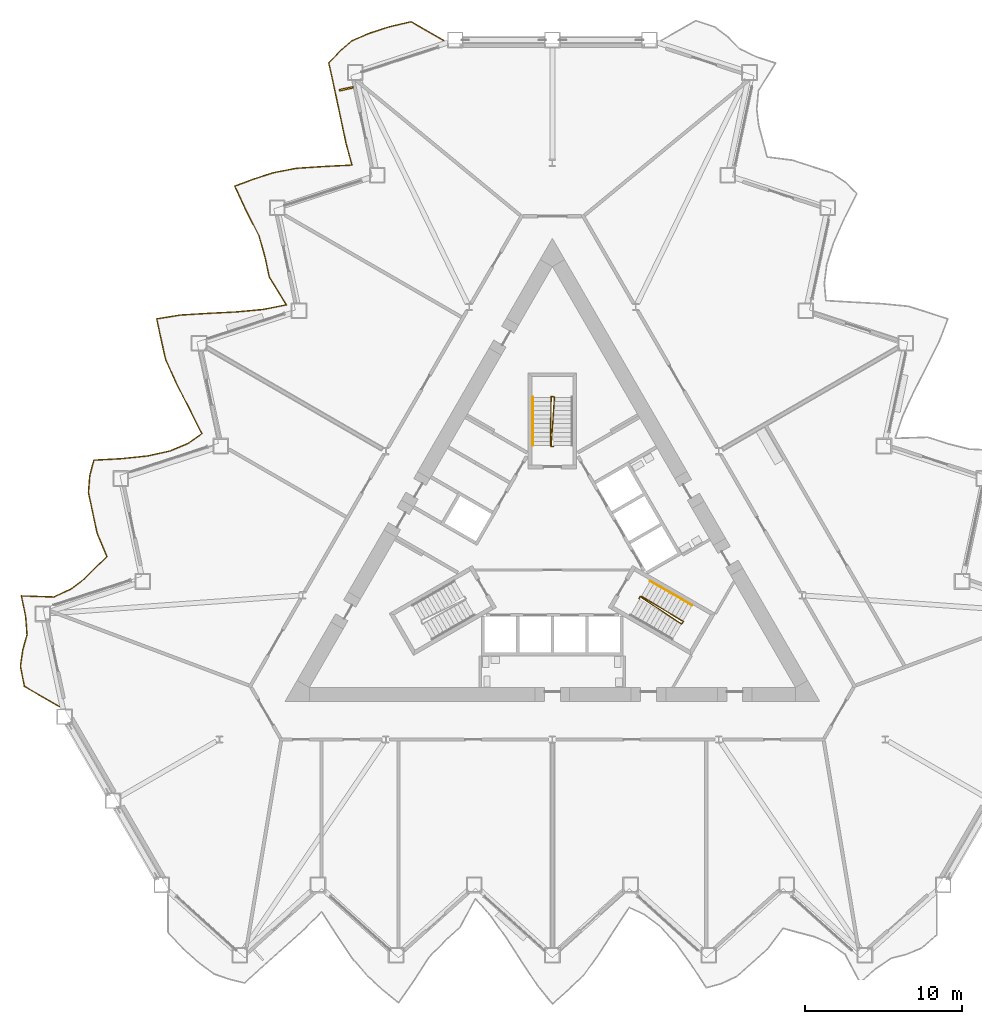
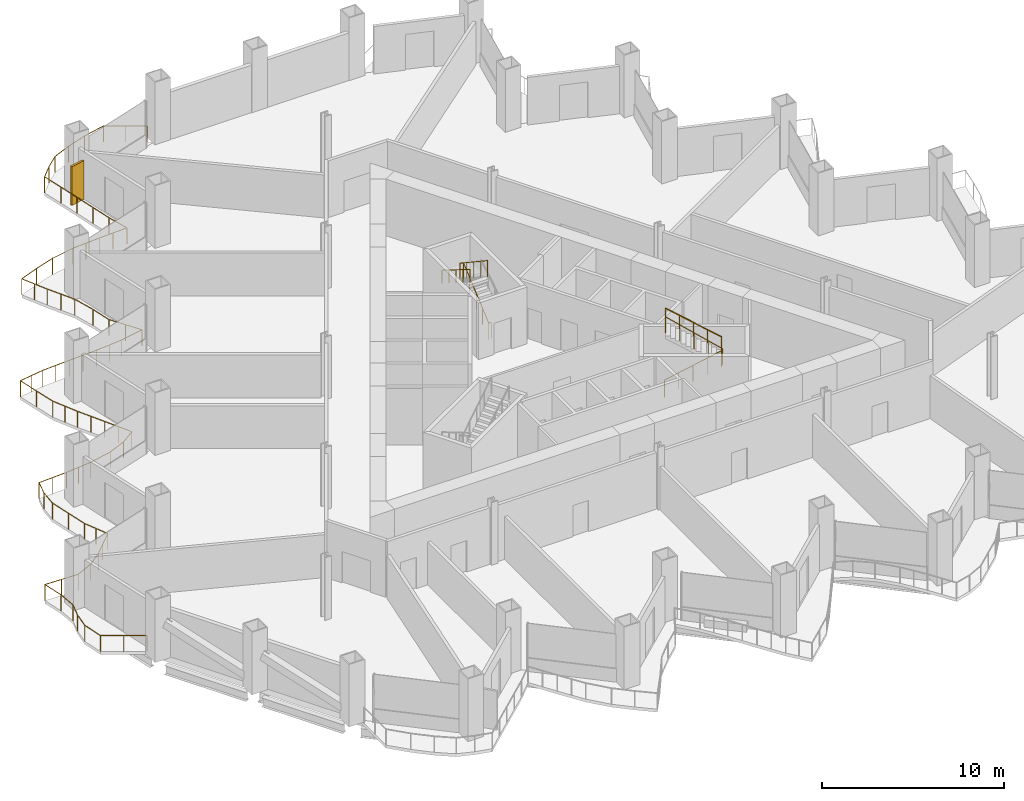
# One storey, part 17 of 20: 5 railings, 1 shading device.
"""IFC4 building model written with IfcOpenShell, lengths in metres."""

from ifc_helpers import new_model, si_unit, direction, frame, origin, origin_2d, place, context, subcontext, project, spatial, rectangle, circle, extrude, material, layer, layer_set, type_object, element, save


model = new_model("IFC4")

# Units and contexts
model_context = context("Model", 3, precision=1e-05, world=origin(), true_north=direction((0.0, 1.0)))
body_context = subcontext(model_context, "Body", "Model", "MODEL_VIEW")
ifc_project = project(units=[si_unit("LENGTHUNIT", "METRE"), si_unit("AREAUNIT", "SQUARE_METRE"), si_unit("VOLUMEUNIT", "CUBIC_METRE"), si_unit("PLANEANGLEUNIT", "RADIAN"), si_unit("MASSUNIT", "GRAM", prefix="KILO")], contexts=[model_context])

# Site, building, storey
site_placement = place(None, origin())
site = spatial("IfcSite", under=ifc_project, at=site_placement, CompositionType="ELEMENT")
building_placement = place(site_placement, origin())
building = spatial("IfcBuilding", under=site, at=building_placement, Name="Cormorant Prow Tower", CompositionType="ELEMENT")
storey_placement = place(building_placement, frame((0.0, 0.0, 59.39990234375)))
storey = spatial("IfcBuildingStorey", under=building, at=storey_placement, Name="L12", CompositionType="ELEMENT", Elevation=59.39990234375)

# Railings
ifc_material_1 = material(Name="Aluminium 6063-T6", Category="aluminium")
railing_type_1 = type_object("IfcRailingType", Name="Balcony guard 1100", PredefinedType="GUARDRAIL", material=ifc_material_1)
railing_1_placement = place(storey_placement, frame((-6.89013671875, 32.197509765625, 0.0)))
element("IfcRailing", 1, at=railing_1_placement, inside=storey, type_object=railing_type_1, Name="Balcony guard WNW", PredefinedType="GUARDRAIL", context=body_context, shape_type="SweptSolid", body=[
    extrude(circle(Radius=0.02392578125, at=origin_2d()), frame((0.0, 0.0, 1.076171875), z_axis=(-0.86600970956, 0.500027182209, 0.0), x_axis=(-0.500027182209, -0.86600970956, 0.0)), (0.0, 0.0, 1.0), 2.404052734375),
    extrude(circle(Radius=0.02392578125, at=origin_2d()), frame((-2.08203125, 1.2021484375, 1.076171875), z_axis=(-0.974143458387, -0.225930348742, 0.0), x_axis=(0.225930348742, -0.974143458387, 0.0)), (0.0, 0.0, 1.0), 1.431884765625),
    extrude(circle(Radius=0.02392578125, at=origin_2d()), frame((-3.476806640625, 0.878662109375, 1.076171875), z_axis=(-0.951050435231, -0.30903570934, 0.0), x_axis=(0.30903570934, -0.951050435231, 0.0)), (0.0, 0.0, 1.0), 1.3154296875),
    extrude(circle(Radius=0.02392578125, at=origin_2d()), frame((-4.727783203125, 0.47216796875, 1.076171875), z_axis=(-0.919423874119, -0.39326802527, 0.0), x_axis=(0.39326802527, -0.919423874119, 0.0)), (0.0, 0.0, 1.0), 1.2216796875),
    extrude(circle(Radius=0.02392578125, at=origin_2d()), frame((-5.85107421875, -0.00830078125, 1.076171875), z_axis=(-0.753994763971, -0.656880427402, 0.0), x_axis=(0.656880427402, -0.753994763971, 0.0)), (0.0, 0.0, 1.0), 1.033203125),
    extrude(circle(Radius=0.02392578125, at=origin_2d()), frame((-6.630126953125, -0.68701171875, 1.076171875), z_axis=(-0.69327825014, -0.72067001317, 0.0), x_axis=(0.72067001317, -0.69327825014, 0.0)), (0.0, 0.0, 1.0), 1.007080078125),
    extrude(circle(Radius=0.02392578125, at=origin_2d()), frame((-7.328369140625, -1.412841796875, 1.076171875), z_axis=(0.218370454667, -0.975865945983, 0.0), x_axis=(0.975865945983, 0.218370454667, 0.0)), (0.0, 0.0, 1.0), 1.328125),
    extrude(circle(Radius=0.02392578125, at=origin_2d()), frame((-7.038330078125, -2.708984375, 1.076171875), z_axis=(0.207880954361, -0.978154133465, 0.0), x_axis=(0.978154133465, 0.207880954361, 0.0)), (0.0, 0.0, 1.0), 1.3154296875),
    extrude(circle(Radius=0.02392578125, at=origin_2d()), frame((-6.764892578125, -3.99560546875, 1.076171875), z_axis=(0.207843219599, -0.978162152236, 0.0), x_axis=(0.978162152236, 0.207843219599, 0.0)), (0.0, 0.0, 1.0), 1.315673828125),
    extrude(circle(Radius=0.02392578125, at=origin_2d()), frame((-6.491455078125, -5.282470703125, 1.076171875), z_axis=(0.20805853112, -0.978116377344, 0.0), x_axis=(0.978116377344, 0.20805853112, 0.0)), (0.0, 0.0, 1.0), 1.3154296875),
    extrude(circle(Radius=0.02392578125, at=origin_2d()), frame((-6.2177734375, -6.569091796875, 1.076171875), z_axis=(0.263726899896, -0.964597388692, 0.0), x_axis=(0.964597388692, 0.263726899896, 0.0)), (0.0, 0.0, 1.0), 1.389404296875),
    extrude(circle(Radius=0.02392578125, at=origin_2d()), frame((-5.851318359375, -7.909423828125, 1.076171875), z_axis=(-0.998806724345, -0.04883776615, 0.0), x_axis=(0.04883776615, -0.998806724345, 0.0)), (0.0, 0.0, 1.0), 1.8046875),
    extrude(circle(Radius=0.02392578125, at=origin_2d()), frame((-7.65380859375, -7.99755859375, 1.076171875), z_axis=(-0.997730027653, -0.067340863671, 0.0), x_axis=(0.067340863671, -0.997730027653, 0.0)), (0.0, 0.0, 1.0), 1.754638671875),
    extrude(circle(Radius=0.02392578125, at=origin_2d()), frame((-9.404541015625, -8.11572265625, 1.076171875), z_axis=(-0.98160088559, -0.190944236385, 0.0), x_axis=(0.190944236385, -0.98160088559, 0.0)), (0.0, 0.0, 1.0), 1.489501953125),
    extrude(circle(Radius=0.02392578125, at=origin_2d()), frame((-10.86669921875, -8.400146484375, 1.076171875), z_axis=(-0.951050435231, -0.30903570934, 0.0), x_axis=(0.30903570934, -0.951050435231, 0.0)), (0.0, 0.0, 1.0), 1.3154296875),
    extrude(circle(Radius=0.02392578125, at=origin_2d()), frame((-12.11767578125, -8.806640625, 1.076171875), z_axis=(-0.935884159176, -0.352307877578, 0.0), x_axis=(0.352307877578, -0.935884159176, 0.0)), (0.0, 0.0, 1.0), 1.2646484375),
    extrude(circle(Radius=0.02392578125, at=origin_2d()), frame((-13.30126953125, -9.252197265625, 1.076171875), z_axis=(0.422336204889, -0.906439258881, 0.0), x_axis=(0.906439258881, 0.422336204889, 0.0)), (0.0, 0.0, 1.0), 1.70361328125),
    extrude(circle(Radius=0.02392578125, at=origin_2d()), frame((-12.581787109375, -10.79638671875, 1.076171875), z_axis=(0.456454133218, -0.88974694395, 0.0), x_axis=(0.88974694395, 0.456454133218, 0.0)), (0.0, 0.0, 1.0), 1.802490234375),
    extrude(circle(Radius=0.02392578125, at=origin_2d()), frame((-11.759033203125, -12.400146484375, 1.076171875), z_axis=(0.271220034755, -0.962517372699, 0.0), x_axis=(0.962517372699, 0.271220034755, 0.0)), (0.0, 0.0, 1.0), 1.400634765625),
    extrude(circle(Radius=0.02392578125, at=origin_2d()), frame((-11.379150390625, -13.748291015625, 1.076171875), z_axis=(0.207880954361, -0.978154133465, 0.0), x_axis=(0.978154133465, 0.207880954361, 0.0)), (0.0, 0.0, 1.0), 1.3154296875),
    extrude(circle(Radius=0.02392578125, at=origin_2d()), frame((-11.105712890625, -15.034912109375, 1.076171875), z_axis=(0.526586384621, -0.850121626317, 0.0), x_axis=(0.850121626317, 0.526586384621, 0.0)), (0.0, 0.0, 1.0), 2.06689453125),
    extrude(circle(Radius=0.02392578125, at=origin_2d()), frame((-10.017333984375, -16.7919921875, 1.076171875), z_axis=(-0.980945932653, -0.194280923438, 0.0), x_axis=(0.194280923438, -0.980945932653, 0.0)), (0.0, 0.0, 1.0), 1.484130859375),
    extrude(circle(Radius=0.02392578125, at=origin_2d()), frame((-11.47314453125, -17.080322265625, 1.076171875), z_axis=(-0.995678573646, -0.092866452401, 0.0), x_axis=(0.092866452401, -0.995678573646, 0.0)), (0.0, 0.0, 1.0), 1.6904296875),
    extrude(circle(Radius=0.02392578125, at=origin_2d()), frame((-13.15625, -17.2373046875, 1.076171875), z_axis=(-0.99871175127, -0.050742860342, 0.0), x_axis=(0.050742860342, -0.99871175127, 0.0)), (0.0, 0.0, 1.0), 1.79931640625),
    extrude(circle(Radius=0.02392578125, at=origin_2d()), frame((-14.953369140625, -17.32861328125, 1.076171875), z_axis=(-0.998160925845, -0.060619849189, 0.0), x_axis=(0.060619849189, -0.998160925845, 0.0)), (0.0, 0.0, 1.0), 1.77197265625),
    extrude(circle(Radius=0.02392578125, at=origin_2d()), frame((-16.72216796875, -17.43603515625, 1.076171875), z_axis=(-0.987699172719, -0.15636605837, 0.0), x_axis=(0.15636605837, -0.987699172719, 0.0)), (0.0, 0.0, 1.0), 1.553466796875),
    extrude(circle(Radius=0.02392578125, at=origin_2d()), frame((-18.256591796875, -17.678955078125, 1.076171875), z_axis=(0.207843219599, -0.978162152236, 0.0), x_axis=(0.978162152236, 0.207843219599, 0.0)), (0.0, 0.0, 1.0), 1.315673828125),
    extrude(circle(Radius=0.02392578125, at=origin_2d()), frame((-17.983154296875, -18.9658203125, 1.076171875), z_axis=(0.216403906622, -0.976303922556, 0.0), x_axis=(0.976303922556, 0.216403906622, 0.0)), (0.0, 0.0, 1.0), 1.32568359375),
    extrude(circle(Radius=0.02392578125, at=origin_2d()), frame((-17.6962890625, -20.260009765625, 1.076171875), z_axis=(0.41179356298, -0.911277159534, 0.0), x_axis=(0.911277159534, 0.41179356298, 0.0)), (0.0, 0.0, 1.0), 1.676025390625),
    extrude(circle(Radius=0.02392578125, at=origin_2d()), frame((-17.006103515625, -21.787353515625, 1.076171875), z_axis=(0.454162052774, -0.890919092747, 0.0), x_axis=(0.890919092747, 0.454162052774, 0.0)), (0.0, 0.0, 1.0), 1.79541015625),
    extrude(circle(Radius=0.02392578125, at=origin_2d()), frame((-16.190673828125, -23.386962890625, 1.076171875), z_axis=(0.449023589782, -0.893519902307, 0.0), x_axis=(0.893519902307, 0.449023589782, 0.0)), (0.0, 0.0, 1.0), 1.779541015625),
    extrude(circle(Radius=0.02392578125, at=origin_2d()), frame((-15.3916015625, -24.97705078125, 1.076171875), z_axis=(-0.816559064368, -0.577261894116, 0.0), x_axis=(0.577261894116, -0.816559064368, 0.0)), (0.0, 0.0, 1.0), 1.076416015625),
    extrude(circle(Radius=0.02392578125, at=origin_2d()), frame((-16.2705078125, -25.598388671875, 1.076171875), z_axis=(-0.921365275246, -0.388697864119, 0.0), x_axis=(0.388697864119, -0.921365275246, 0.0)), (0.0, 0.0, 1.0), 1.22607421875),
    extrude(circle(Radius=0.02392578125, at=origin_2d()), frame((-17.400146484375, -26.074951171875, 1.076171875), z_axis=(-0.976191031869, -0.216912584463, 0.0), x_axis=(0.216912584463, -0.976191031869, 0.0)), (0.0, 0.0, 1.0), 1.4462890625),
    extrude(circle(Radius=0.02392578125, at=origin_2d()), frame((-18.81201171875, -26.388671875, 1.076171875), z_axis=(-0.994448942205, -0.105220251606, 0.0), x_axis=(0.105220251606, -0.994448942205, 0.0)), (0.0, 0.0, 1.0), 1.661376953125),
    extrude(circle(Radius=0.02392578125, at=origin_2d()), frame((-20.464111328125, -26.5634765625, 1.076171875), z_axis=(-0.998541081277, -0.053997305501, 0.0), x_axis=(0.053997305501, -0.998541081277, 0.0)), (0.0, 0.0, 1.0), 1.79052734375),
    extrude(circle(Radius=0.02392578125, at=origin_2d()), frame((-22.251953125, -26.66015625, 1.076171875), z_axis=(-0.25550165433, -0.966808618412, 0.0), x_axis=(0.966808618412, -0.25550165433, 0.0)), (0.0, 0.0, 1.0), 1.012939453125),
    extrude(circle(Radius=0.02392578125, at=origin_2d()), frame((-22.5107421875, -27.639404296875, 1.076171875), z_axis=(-0.080076936744, -0.996788685832, 0.0), x_axis=(0.996788685832, -0.080076936744, 0.0)), (0.0, 0.0, 1.0), 1.082275390625),
    extrude(circle(Radius=0.02392578125, at=origin_2d()), frame((-22.597412109375, -28.71826171875, 1.076171875), z_axis=(0.207843219599, -0.978162152236, 0.0), x_axis=(0.978162152236, 0.207843219599, 0.0)), (0.0, 0.0, 1.0), 1.315673828125),
    extrude(circle(Radius=0.02392578125, at=origin_2d()), frame((-22.323974609375, -30.005126953125, 1.076171875), z_axis=(0.208096308605, -0.978108340801, 0.0), x_axis=(0.978108340801, 0.208096308605, 0.0)), (0.0, 0.0, 1.0), 1.315185546875),
    extrude(circle(Radius=0.02392578125, at=origin_2d()), frame((-22.05029296875, -31.29150390625, 1.076171875), z_axis=(0.386129109444, -0.922444746768, 0.0), x_axis=(0.922444746768, 0.386129109444, 0.0)), (0.0, 0.0, 1.0), 1.6142578125),
    extrude(circle(Radius=0.02392578125, at=origin_2d()), frame((-21.427001953125, -32.780517578125, 1.076171875), z_axis=(-0.710711333139, -0.703483760259, 0.0), x_axis=(0.703483760259, -0.710711333139, 0.0)), (0.0, 0.0, 1.0), 1.013427734375),
    extrude(circle(Radius=0.02392578125, at=origin_2d()), frame((-22.147216796875, -33.493408203125, 1.076171875), z_axis=(-0.705051426943, -0.709156178402, 0.0), x_axis=(0.709156178402, -0.705051426943, 0.0)), (0.0, 0.0, 1.0), 1.01123046875),
    extrude(circle(Radius=0.02392578125, at=origin_2d()), frame((-22.860107421875, -34.21044921875, 1.076171875), z_axis=(-0.797118998613, -0.603822243753, 0.0), x_axis=(0.603822243753, -0.797118998613, 0.0)), (0.0, 0.0, 1.0), 1.06103515625),
    extrude(circle(Radius=0.02392578125, at=origin_2d()), frame((-23.705810546875, -34.85107421875, 1.076171875), z_axis=(-0.907384702576, -0.42030108438, 0.0), x_axis=(0.42030108438, -0.907384702576, 0.0)), (0.0, 0.0, 1.0), 1.1953125),
    extrude(circle(Radius=0.02392578125, at=origin_2d()), frame((-24.79052734375, -35.353515625, 1.076171875), z_axis=(-0.999468051199, 0.032613105216, 0.0), x_axis=(-0.032613105216, -0.999468051199, 0.0)), (0.0, 0.0, 1.0), 2.07373046875),
    extrude(circle(Radius=0.02392578125, at=origin_2d()), frame((-26.863037109375, -35.285888671875, 1.076171875), z_axis=(0.20805853112, -0.978116377344, 0.0), x_axis=(0.978116377344, 0.20805853112, 0.0)), (0.0, 0.0, 1.0), 1.3154296875),
    extrude(circle(Radius=0.02392578125, at=origin_2d()), frame((-26.58935546875, -36.572509765625, 1.076171875), z_axis=(0.074312688106, -0.997234989552, 0.0), x_axis=(0.997234989552, 0.074312688106, 0.0)), (0.0, 0.0, 1.0), 1.1826171875),
    extrude(circle(Radius=0.02392578125, at=origin_2d()), frame((-26.50146484375, -37.751953125, 1.076171875), z_axis=(-0.267145067543, -0.963656325091, 0.0), x_axis=(0.963656325091, -0.267145067543, 0.0)), (0.0, 0.0, 1.0), 1.009765625),
    extrude(circle(Radius=0.02392578125, at=origin_2d()), frame((-26.771240234375, -38.72509765625, 1.076171875), z_axis=(-0.139670047825, -0.990198100251, 0.0), x_axis=(0.990198100251, -0.139670047825, 0.0)), (0.0, 0.0, 1.0), 1.053955078125),
    extrude(circle(Radius=0.02392578125, at=origin_2d()), frame((-26.91845703125, -39.768798828125, 1.076171875), z_axis=(0.195249566412, -0.980753591284, 0.0), x_axis=(0.980753591284, 0.195249566412, 0.0)), (0.0, 0.0, 1.0), 1.300537109375),
    extrude(circle(Radius=0.02392578125, at=origin_2d()), frame((-26.66455078125, -41.044189453125, 1.076171875), z_axis=(0.866030548046, -0.499991089772, 0.0), x_axis=(0.499991089772, 0.866030548046, 0.0)), (0.0, 0.0, 1.0), 2.56982421875),
    extrude(circle(Radius=0.02099609375, at=origin_2d()), origin(), (0.0, 0.0, 1.0), 1.052001953125),
    extrude(circle(Radius=0.02099609375, at=origin_2d()), frame((-1.041015625, 0.60107421875, 0.0)), (0.0, 0.0, 1.0), 1.052001953125),
    extrude(circle(Radius=0.02099609375, at=origin_2d()), frame((-2.08203125, 1.2021484375, 0.0)), (0.0, 0.0, 1.0), 1.052001953125),
    extrude(circle(Radius=0.02099609375, at=origin_2d()), frame((-3.476806640625, 0.878662109375, 0.0)), (0.0, 0.0, 1.0), 1.052001953125),
    extrude(circle(Radius=0.02099609375, at=origin_2d()), frame((-4.727783203125, 0.47216796875, 0.0)), (0.0, 0.0, 1.0), 1.052001953125),
    extrude(circle(Radius=0.02099609375, at=origin_2d()), frame((-5.85107421875, -0.00830078125, 0.0)), (0.0, 0.0, 1.0), 1.052001953125),
    extrude(circle(Radius=0.02099609375, at=origin_2d()), frame((-6.630126953125, -0.68701171875, 0.0)), (0.0, 0.0, 1.0), 1.052001953125),
    extrude(circle(Radius=0.02099609375, at=origin_2d()), frame((-7.328369140625, -1.412841796875, 0.0)), (0.0, 0.0, 1.0), 1.052001953125),
    extrude(circle(Radius=0.02099609375, at=origin_2d()), frame((-7.038330078125, -2.708984375, 0.0)), (0.0, 0.0, 1.0), 1.052001953125),
    extrude(circle(Radius=0.02099609375, at=origin_2d()), frame((-6.764892578125, -3.99560546875, 0.0)), (0.0, 0.0, 1.0), 1.052001953125),
    extrude(circle(Radius=0.02099609375, at=origin_2d()), frame((-6.491455078125, -5.282470703125, 0.0)), (0.0, 0.0, 1.0), 1.052001953125),
    extrude(circle(Radius=0.02099609375, at=origin_2d()), frame((-6.2177734375, -6.569091796875, 0.0)), (0.0, 0.0, 1.0), 1.052001953125),
    extrude(circle(Radius=0.02099609375, at=origin_2d()), frame((-5.851318359375, -7.909423828125, 0.0)), (0.0, 0.0, 1.0), 1.052001953125),
    extrude(circle(Radius=0.02099609375, at=origin_2d()), frame((-6.75244140625, -7.95361328125, 0.0)), (0.0, 0.0, 1.0), 1.052001953125),
    extrude(circle(Radius=0.02099609375, at=origin_2d()), frame((-7.65380859375, -7.99755859375, 0.0)), (0.0, 0.0, 1.0), 1.052001953125),
    extrude(circle(Radius=0.02099609375, at=origin_2d()), frame((-8.529296875, -8.056640625, 0.0)), (0.0, 0.0, 1.0), 1.052001953125),
    extrude(circle(Radius=0.02099609375, at=origin_2d()), frame((-9.404541015625, -8.11572265625, 0.0)), (0.0, 0.0, 1.0), 1.052001953125),
    extrude(circle(Radius=0.02099609375, at=origin_2d()), frame((-10.86669921875, -8.400146484375, 0.0)), (0.0, 0.0, 1.0), 1.052001953125),
    extrude(circle(Radius=0.02099609375, at=origin_2d()), frame((-12.11767578125, -8.806640625, 0.0)), (0.0, 0.0, 1.0), 1.052001953125),
    extrude(circle(Radius=0.02099609375, at=origin_2d()), frame((-13.30126953125, -9.252197265625, 0.0)), (0.0, 0.0, 1.0), 1.052001953125),
    extrude(circle(Radius=0.02099609375, at=origin_2d()), frame((-12.94140625, -10.0244140625, 0.0)), (0.0, 0.0, 1.0), 1.052001953125),
    extrude(circle(Radius=0.02099609375, at=origin_2d()), frame((-12.581787109375, -10.79638671875, 0.0)), (0.0, 0.0, 1.0), 1.052001953125),
    extrude(circle(Radius=0.02099609375, at=origin_2d()), frame((-12.17041015625, -11.59814453125, 0.0)), (0.0, 0.0, 1.0), 1.052001953125),
    extrude(circle(Radius=0.02099609375, at=origin_2d()), frame((-11.759033203125, -12.400146484375, 0.0)), (0.0, 0.0, 1.0), 1.052001953125),
    extrude(circle(Radius=0.02099609375, at=origin_2d()), frame((-11.379150390625, -13.748291015625, 0.0)), (0.0, 0.0, 1.0), 1.052001953125),
    extrude(circle(Radius=0.02099609375, at=origin_2d()), frame((-11.105712890625, -15.034912109375, 0.0)), (0.0, 0.0, 1.0), 1.052001953125),
    extrude(circle(Radius=0.02099609375, at=origin_2d()), frame((-10.5615234375, -15.91357421875, 0.0)), (0.0, 0.0, 1.0), 1.052001953125),
    extrude(circle(Radius=0.02099609375, at=origin_2d()), frame((-10.017333984375, -16.7919921875, 0.0)), (0.0, 0.0, 1.0), 1.052001953125),
    extrude(circle(Radius=0.02099609375, at=origin_2d()), frame((-11.47314453125, -17.080322265625, 0.0)), (0.0, 0.0, 1.0), 1.052001953125),
    extrude(circle(Radius=0.02099609375, at=origin_2d()), frame((-12.314697265625, -17.15869140625, 0.0)), (0.0, 0.0, 1.0), 1.052001953125),
    extrude(circle(Radius=0.02099609375, at=origin_2d()), frame((-13.15625, -17.2373046875, 0.0)), (0.0, 0.0, 1.0), 1.052001953125),
    extrude(circle(Radius=0.02099609375, at=origin_2d()), frame((-14.0546875, -17.282958984375, 0.0)), (0.0, 0.0, 1.0), 1.052001953125),
    extrude(circle(Radius=0.02099609375, at=origin_2d()), frame((-14.953369140625, -17.32861328125, 0.0)), (0.0, 0.0, 1.0), 1.052001953125),
    extrude(circle(Radius=0.02099609375, at=origin_2d()), frame((-15.837890625, -17.38232421875, 0.0)), (0.0, 0.0, 1.0), 1.052001953125),
    extrude(circle(Radius=0.02099609375, at=origin_2d()), frame((-16.72216796875, -17.43603515625, 0.0)), (0.0, 0.0, 1.0), 1.052001953125),
    extrude(circle(Radius=0.02099609375, at=origin_2d()), frame((-17.4892578125, -17.5576171875, 0.0)), (0.0, 0.0, 1.0), 1.052001953125),
    extrude(circle(Radius=0.02099609375, at=origin_2d()), frame((-18.256591796875, -17.678955078125, 0.0)), (0.0, 0.0, 1.0), 1.052001953125),
    extrude(circle(Radius=0.02099609375, at=origin_2d()), frame((-17.983154296875, -18.9658203125, 0.0)), (0.0, 0.0, 1.0), 1.052001953125),
    extrude(circle(Radius=0.02099609375, at=origin_2d()), frame((-17.6962890625, -20.260009765625, 0.0)), (0.0, 0.0, 1.0), 1.052001953125),
    extrude(circle(Radius=0.02099609375, at=origin_2d()), frame((-17.35107421875, -21.023681640625, 0.0)), (0.0, 0.0, 1.0), 1.052001953125),
    extrude(circle(Radius=0.02099609375, at=origin_2d()), frame((-17.006103515625, -21.787353515625, 0.0)), (0.0, 0.0, 1.0), 1.052001953125),
    extrude(circle(Radius=0.02099609375, at=origin_2d()), frame((-16.598388671875, -22.587158203125, 0.0)), (0.0, 0.0, 1.0), 1.052001953125),
    extrude(circle(Radius=0.02099609375, at=origin_2d()), frame((-16.190673828125, -23.386962890625, 0.0)), (0.0, 0.0, 1.0), 1.052001953125),
    extrude(circle(Radius=0.02099609375, at=origin_2d()), frame((-15.791015625, -24.18212890625, 0.0)), (0.0, 0.0, 1.0), 1.052001953125),
    extrude(circle(Radius=0.02099609375, at=origin_2d()), frame((-15.3916015625, -24.97705078125, 0.0)), (0.0, 0.0, 1.0), 1.052001953125),
    extrude(circle(Radius=0.02099609375, at=origin_2d()), frame((-16.2705078125, -25.598388671875, 0.0)), (0.0, 0.0, 1.0), 1.052001953125),
    extrude(circle(Radius=0.02099609375, at=origin_2d()), frame((-17.400146484375, -26.074951171875, 0.0)), (0.0, 0.0, 1.0), 1.052001953125),
    extrude(circle(Radius=0.02099609375, at=origin_2d()), frame((-18.81201171875, -26.388671875, 0.0)), (0.0, 0.0, 1.0), 1.052001953125),
    extrude(circle(Radius=0.02099609375, at=origin_2d()), frame((-19.63818359375, -26.47607421875, 0.0)), (0.0, 0.0, 1.0), 1.052001953125),
    extrude(circle(Radius=0.02099609375, at=origin_2d()), frame((-20.464111328125, -26.5634765625, 0.0)), (0.0, 0.0, 1.0), 1.052001953125),
    extrude(circle(Radius=0.02099609375, at=origin_2d()), frame((-21.35791015625, -26.61181640625, 0.0)), (0.0, 0.0, 1.0), 1.052001953125),
    extrude(circle(Radius=0.02099609375, at=origin_2d()), frame((-22.251953125, -26.66015625, 0.0)), (0.0, 0.0, 1.0), 1.052001953125),
    extrude(circle(Radius=0.02099609375, at=origin_2d()), frame((-22.5107421875, -27.639404296875, 0.0)), (0.0, 0.0, 1.0), 1.052001953125),
    extrude(circle(Radius=0.02099609375, at=origin_2d()), frame((-22.597412109375, -28.71826171875, 0.0)), (0.0, 0.0, 1.0), 1.052001953125),
    extrude(circle(Radius=0.02099609375, at=origin_2d()), frame((-22.323974609375, -30.005126953125, 0.0)), (0.0, 0.0, 1.0), 1.052001953125),
    extrude(circle(Radius=0.02099609375, at=origin_2d()), frame((-22.05029296875, -31.29150390625, 0.0)), (0.0, 0.0, 1.0), 1.052001953125),
    extrude(circle(Radius=0.02099609375, at=origin_2d()), frame((-21.73876953125, -32.0361328125, 0.0)), (0.0, 0.0, 1.0), 1.052001953125),
    extrude(circle(Radius=0.02099609375, at=origin_2d()), frame((-21.427001953125, -32.780517578125, 0.0)), (0.0, 0.0, 1.0), 1.052001953125),
    extrude(circle(Radius=0.02099609375, at=origin_2d()), frame((-22.147216796875, -33.493408203125, 0.0)), (0.0, 0.0, 1.0), 1.052001953125),
    extrude(circle(Radius=0.02099609375, at=origin_2d()), frame((-22.860107421875, -34.21044921875, 0.0)), (0.0, 0.0, 1.0), 1.052001953125),
    extrude(circle(Radius=0.02099609375, at=origin_2d()), frame((-23.705810546875, -34.85107421875, 0.0)), (0.0, 0.0, 1.0), 1.052001953125),
    extrude(circle(Radius=0.02099609375, at=origin_2d()), frame((-24.79052734375, -35.353515625, 0.0)), (0.0, 0.0, 1.0), 1.052001953125),
    extrude(circle(Radius=0.02099609375, at=origin_2d()), frame((-25.82666015625, -35.31982421875, 0.0)), (0.0, 0.0, 1.0), 1.052001953125),
    extrude(circle(Radius=0.02099609375, at=origin_2d()), frame((-26.863037109375, -35.285888671875, 0.0)), (0.0, 0.0, 1.0), 1.052001953125),
    extrude(circle(Radius=0.02099609375, at=origin_2d()), frame((-26.58935546875, -36.572509765625, 0.0)), (0.0, 0.0, 1.0), 1.052001953125),
    extrude(circle(Radius=0.02099609375, at=origin_2d()), frame((-26.50146484375, -37.751953125, 0.0)), (0.0, 0.0, 1.0), 1.052001953125),
    extrude(circle(Radius=0.02099609375, at=origin_2d()), frame((-26.771240234375, -38.72509765625, 0.0)), (0.0, 0.0, 1.0), 1.052001953125),
    extrude(circle(Radius=0.02099609375, at=origin_2d()), frame((-26.91845703125, -39.768798828125, 0.0)), (0.0, 0.0, 1.0), 1.052001953125),
    extrude(circle(Radius=0.02099609375, at=origin_2d()), frame((-26.66455078125, -41.044189453125, 0.0)), (0.0, 0.0, 1.0), 1.052001953125),
    extrude(circle(Radius=0.02099609375, at=origin_2d()), frame((-25.5517578125, -41.6865234375, 0.0)), (0.0, 0.0, 1.0), 1.052001953125),
    extrude(circle(Radius=0.02099609375, at=origin_2d()), frame((-24.43896484375, -42.3291015625, 0.0)), (0.0, 0.0, 1.0), 1.052001953125),
])
ifc_material_2 = material(Name="Stainless steel", Category="steel")
railing_type_2 = type_object("IfcRailingType", Name="Stair guard 1100", PredefinedType="GUARDRAIL", material=ifc_material_2)
railing_2_placement = place(storey_placement, frame((5.510009765625, -3.267822265625, 0.0)))
element("IfcRailing", 2, at=railing_2_placement, inside=storey, type_object=railing_type_2, Name="L12 ST2 stair guard 1", PredefinedType="GUARDRAIL", context=body_context, shape_type="SweptSolid", body=[
    extrude(circle(Radius=0.02392578125, at=origin_2d()), frame((0.0, 0.0, 1.076171875), z_axis=(0.501036270542, 0.865426285481, 0.0), x_axis=(-0.865426285481, 0.501036270542, 0.0)), (0.0, 0.0, 1.0), 0.150146484375),
    extrude(circle(Radius=0.02392578125, at=origin_2d()), frame((0.0751953125, 0.1298828125, 1.076171875), z_axis=(0.691630634645, -0.46052652377, 0.556383308633), x_axis=(0.554233058506, 0.832361530141, 0.0)), (0.0, 0.0, 1.0), 3.774658203125),
    extrude(circle(Radius=0.02392578125, at=origin_2d()), frame((2.685791015625, -1.6083984375, 3.17626953125), z_axis=(0.695164929852, 0.718850276695, 0.0), x_axis=(-0.718850276695, 0.695164929852, 0.0)), (0.0, 0.0, 1.0), 0.2060546875),
    extrude(circle(Radius=0.02392578125, at=origin_2d()), frame((2.8291015625, -1.460205078125, 3.17626953125), z_axis=(-0.712463317363, 0.426661970256, 0.557095669117), x_axis=(-0.513773053629, -0.857926132814, 0.0)), (0.0, 0.0, 1.0), 3.769775390625),
    extrude(circle(Radius=0.02099609375, at=origin_2d()), origin(), (0.0, 0.0, 1.0), 1.052001953125),
    extrude(circle(Radius=0.02099609375, at=origin_2d()), frame((0.0751953125, 0.1298828125, 0.0)), (0.0, 0.0, 1.0), 1.052001953125),
    extrude(circle(Radius=0.02099609375, at=origin_2d()), frame((0.727783203125, -0.3046875, 0.52490234375)), (0.0, 0.0, 1.0), 1.052001953125),
    extrude(circle(Radius=0.02099609375, at=origin_2d()), frame((1.38037109375, -0.7392578125, 1.050048828125)), (0.0, 0.0, 1.0), 1.052001953125),
    extrude(circle(Radius=0.02099609375, at=origin_2d()), frame((2.033203125, -1.173828125, 1.5751953125)), (0.0, 0.0, 1.0), 1.052001953125),
    extrude(circle(Radius=0.02099609375, at=origin_2d()), frame((2.685791015625, -1.6083984375, 2.10009765625)), (0.0, 0.0, 1.0), 1.052001953125),
    extrude(circle(Radius=0.02099609375, at=origin_2d()), frame((2.8291015625, -1.460205078125, 2.10009765625)), (0.0, 0.0, 1.0), 1.052001953125),
    extrude(circle(Radius=0.02099609375, at=origin_2d()), frame((2.15771484375, -1.05810546875, 2.625)), (0.0, 0.0, 1.0), 1.052001953125),
    extrude(circle(Radius=0.02099609375, at=origin_2d()), frame((1.486328125, -0.656005859375, 3.150146484375)), (0.0, 0.0, 1.0), 1.052001953125),
    extrude(circle(Radius=0.02099609375, at=origin_2d()), frame((0.814697265625, -0.25390625, 3.67529296875)), (0.0, 0.0, 1.0), 1.052001953125),
    extrude(circle(Radius=0.02099609375, at=origin_2d()), frame((0.143310546875, 0.148193359375, 4.2001953125)), (0.0, 0.0, 1.0), 1.052001953125),
])
railing_3_placement = place(storey_placement, frame((0.074951171875, 6.40576171875, 0.0)))
element("IfcRailing", 3, at=railing_3_placement, inside=storey, type_object=railing_type_2, Name="L12 ST3 stair guard 1", PredefinedType="GUARDRAIL", context=body_context, shape_type="SweptSolid", body=[
    extrude(circle(Radius=0.02392578125, at=origin_2d()), frame((0.0, 0.0, 1.076171875), z_axis=(-1.0, 0.0, 0.0), x_axis=(0.0, -1.0, 0.0)), (0.0, 0.0, 1.0), 0.14990234375),
    extrude(circle(Radius=0.02392578125, at=origin_2d()), frame((-0.14990234375, 0.0, 1.076171875), z_axis=(0.052971918151, 0.829246596605, 0.556366837532), x_axis=(-0.997965923181, 0.063749636618, 0.0)), (0.0, 0.0, 1.0), 3.774658203125),
    extrude(circle(Radius=0.02392578125, at=origin_2d()), frame((0.050048828125, 3.130126953125, 3.17626953125), z_axis=(-0.970072785993, 0.242814311512, 0.0), x_axis=(-0.242814311512, -0.970072785993, 0.0)), (0.0, 0.0, 1.0), 0.2060546875),
    extrude(circle(Radius=0.02392578125, at=origin_2d()), frame((-0.14990234375, 3.18017578125, 3.17626953125), z_axis=(-0.013276620939, -0.830339302729, 0.557099967403), x_axis=(0.999872194171, -0.015987348866, 0.0)), (0.0, 0.0, 1.0), 3.769775390625),
    extrude(circle(Radius=0.02099609375, at=origin_2d()), origin(), (0.0, 0.0, 1.0), 1.052001953125),
    extrude(circle(Radius=0.02099609375, at=origin_2d()), frame((-0.14990234375, 0.0, 0.0)), (0.0, 0.0, 1.0), 1.052001953125),
    extrude(circle(Radius=0.02099609375, at=origin_2d()), frame((-0.099853515625, 0.782470703125, 0.52490234375)), (0.0, 0.0, 1.0), 1.052001953125),
    extrude(circle(Radius=0.02099609375, at=origin_2d()), frame((-0.0498046875, 1.56494140625, 1.050048828125)), (0.0, 0.0, 1.0), 1.052001953125),
    extrude(circle(Radius=0.02099609375, at=origin_2d()), frame((0.0, 2.34765625, 1.5751953125)), (0.0, 0.0, 1.0), 1.052001953125),
    extrude(circle(Radius=0.02099609375, at=origin_2d()), frame((0.050048828125, 3.130126953125, 2.10009765625)), (0.0, 0.0, 1.0), 1.052001953125),
    extrude(circle(Radius=0.02099609375, at=origin_2d()), frame((-0.14990234375, 3.18017578125, 2.10009765625)), (0.0, 0.0, 1.0), 1.052001953125),
    extrude(circle(Radius=0.02099609375, at=origin_2d()), frame((-0.162353515625, 2.397705078125, 2.625)), (0.0, 0.0, 1.0), 1.052001953125),
    extrude(circle(Radius=0.02099609375, at=origin_2d()), frame((-0.1748046875, 1.615234375, 3.150146484375)), (0.0, 0.0, 1.0), 1.052001953125),
    extrude(circle(Radius=0.02099609375, at=origin_2d()), frame((-0.1875, 0.83251953125, 3.67529296875)), (0.0, 0.0, 1.0), 1.052001953125),
    extrude(circle(Radius=0.02099609375, at=origin_2d()), frame((-0.199951171875, 0.050048828125, 4.2001953125)), (0.0, 0.0, 1.0), 1.052001953125),
])
ifc_material_3 = material(Name="Stainless steel", Category="steel")
railing_type_3 = type_object("IfcRailingType", Name="Stair handrail 900", PredefinedType="HANDRAIL", material=ifc_material_3)
railing_4_placement = place(storey_placement, frame((8.88037109375, -3.690673828125, 2.275146484375)))
element("IfcRailing", 4, at=railing_4_placement, inside=storey, type_object=railing_type_3, Name="L12 ST2 stair handrail 2", PredefinedType="HANDRAIL", context=body_context, shape_type="SweptSolid", body=[
    extrude(circle(Radius=0.02392578125, at=origin_2d()), frame((0.0, 0.0, 0.8759765625), z_axis=(-0.734394994316, 0.423994474112, 0.52999309264), x_axis=(-0.499992328818, -0.866029832698, 0.0)), (0.0, 0.0, 1.0), 3.63232421875),
    extrude(circle(Radius=0.02099609375, at=origin_2d()), origin(), (0.0, 0.0, 1.0), 0.851806640625),
    extrude(circle(Radius=0.02099609375, at=origin_2d()), frame((-0.6669921875, 0.385009765625, 0.481201171875)), (0.0, 0.0, 1.0), 0.851806640625),
    extrude(circle(Radius=0.02099609375, at=origin_2d()), frame((-1.333740234375, 0.77001953125, 0.96240234375)), (0.0, 0.0, 1.0), 0.851806640625),
    extrude(circle(Radius=0.02099609375, at=origin_2d()), frame((-2.00048828125, 1.155029296875, 1.44384765625)), (0.0, 0.0, 1.0), 0.851806640625),
    extrude(circle(Radius=0.02099609375, at=origin_2d()), frame((-2.66748046875, 1.5400390625, 1.925048828125)), (0.0, 0.0, 1.0), 0.851806640625),
])
railing_5_placement = place(storey_placement, frame((-1.243896484375, 9.535888671875, 2.275146484375)))
element("IfcRailing", 5, at=railing_5_placement, inside=storey, type_object=railing_type_3, Name="L12 ST3 stair handrail 2", PredefinedType="HANDRAIL", context=body_context, shape_type="SweptSolid", body=[
    extrude(circle(Radius=0.02392578125, at=origin_2d()), frame((0.0, 0.0, 0.8759765625), z_axis=(0.0, -0.847998304005, 0.529998940003), x_axis=(1.0, 0.0, 0.0)), (0.0, 0.0, 1.0), 3.632080078125),
    extrude(circle(Radius=0.02099609375, at=origin_2d()), origin(), (0.0, 0.0, 1.0), 0.851806640625),
    extrude(circle(Radius=0.02099609375, at=origin_2d()), frame((0.0, -0.77001953125, 0.481201171875)), (0.0, 0.0, 1.0), 0.851806640625),
    extrude(circle(Radius=0.02099609375, at=origin_2d()), frame((0.0, -1.5400390625, 0.96240234375)), (0.0, 0.0, 1.0), 0.851806640625),
    extrude(circle(Radius=0.02099609375, at=origin_2d()), frame((0.0, -2.31005859375, 1.44384765625)), (0.0, 0.0, 1.0), 0.851806640625),
    extrude(circle(Radius=0.02099609375, at=origin_2d()), frame((0.0, -3.080078125, 1.925048828125)), (0.0, 0.0, 1.0), 0.851806640625),
])

# Shading device
ifc_material_4 = material(Name="Terracotta", Category="masonry")
ifc_layer = layer(ifc_material_4, 0.1201171875)
ifc_layer_set = layer_set([ifc_layer], Name="Terracotta")
shading_device_type = type_object("IfcShadingDeviceType", Name="Terracotta baguette fin 120x900x2600", PredefinedType="USERDEFINED", material=ifc_layer_set)
shading_device_placement = place(storey_placement, frame((-13.097900390625, 29.13525390625, 0.0), z_axis=(0.0, 0.0, 1.0), x_axis=(0.207911805763, -0.978147576301, 0.0)))
element("IfcShadingDevice", 6, at=shading_device_placement, inside=storey, type_object=shading_device_type, Name="Baguette fin WNW01", ObjectType="BAGUETTE", PredefinedType="USERDEFINED", context=body_context, shape_type="SweptSolid", body=[
    extrude(rectangle(XDim=0.1201171875, YDim=0.89990234375, at=origin_2d()), origin(), (0.0, 0.0, 1.0), 2.60009765625),
])

save(model, "model.ifc")
